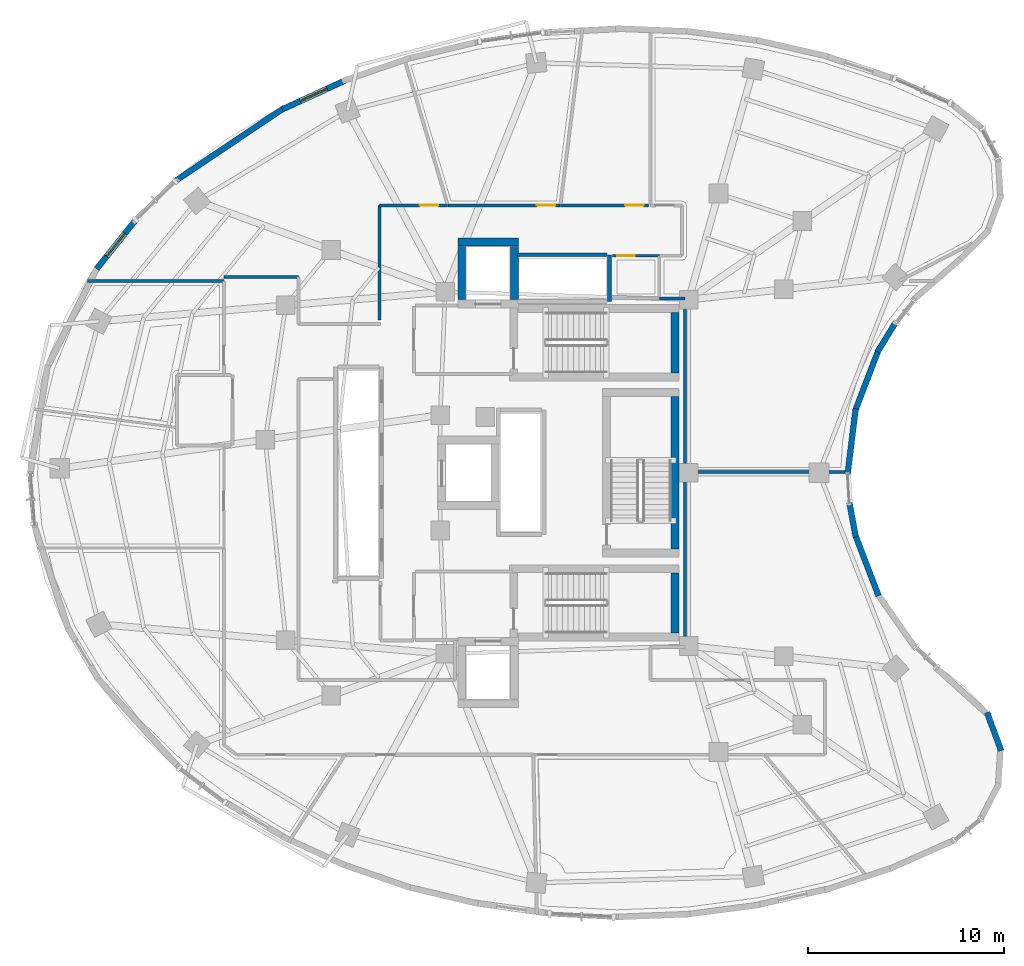
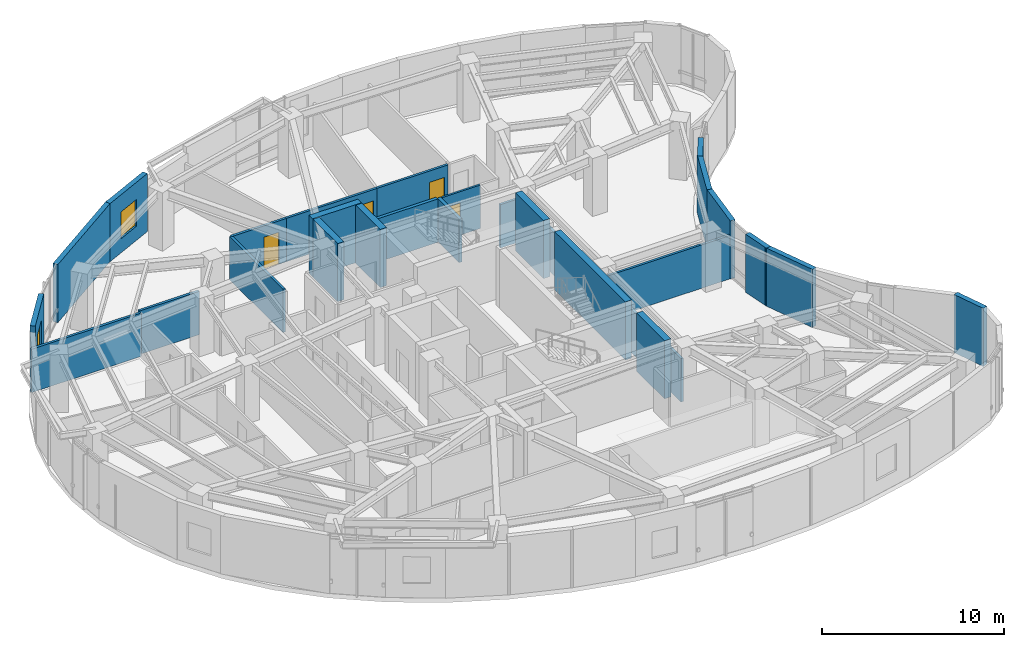
# One storey, part 10 of 15: 28 walls, 4 doors, 2 windows, 6 openings.
"""IFC4 building model written with IfcOpenShell, lengths in metres."""

from ifc_helpers import new_model, si_unit, direction, frame, frame_2d, origin, place, context, subcontext, project, spatial, rectangle, extrude, material, layer, layer_set, type_object, element, fill, save


model = new_model("IFC4")

# Units and contexts
model_context = context("Model", 3, precision=1e-05, world=origin(), true_north=direction((0.0, 1.0)))
body_context = subcontext(model_context, "Body", "Model", "MODEL_VIEW")
ifc_project = project(units=[si_unit("LENGTHUNIT", "METRE"), si_unit("AREAUNIT", "SQUARE_METRE"), si_unit("VOLUMEUNIT", "CUBIC_METRE"), si_unit("PLANEANGLEUNIT", "RADIAN"), si_unit("MASSUNIT", "GRAM", prefix="KILO")], contexts=[model_context])

# Site, building, storey
site_placement = place(None, origin())
site = spatial("IfcSite", under=ifc_project, at=site_placement, CompositionType="ELEMENT")
building_placement = place(site_placement, origin())
building = spatial("IfcBuilding", under=site, at=building_placement, Name="Korentha Bioscience Tower", CompositionType="ELEMENT")
storey_placement = place(building_placement, frame((0.0, 0.0, 218.39990234375)))
storey = spatial("IfcBuildingStorey", under=building, at=storey_placement, Name="L50", CompositionType="ELEMENT", Elevation=218.39990234375)

# Wall, opening, door
ifc_material_1 = material(Name="Double-Stud Acoustic Gypsum", Category="gypsum")
ifc_layer_1 = layer(ifc_material_1, 0.14990234375, Name="Double-Stud Acoustic Gypsum")
ifc_layer_set_1 = layer_set([ifc_layer_1], Name="Double-Stud Acoustic Gypsum (IW-L150)")
wall_type_1 = type_object("IfcWallType", Name="Acoustic Laboratory Partition Wall 150", PredefinedType="PARTITIONING", material=ifc_layer_set_1)
wall_1_placement = place(storey_placement, frame((35.482666015625, 40.659912109375, 0.0), z_axis=(0.0, 0.0, 1.0), x_axis=(-1.0, 0.0, 0.0)))
wall_1 = element("IfcWall", 1, at=wall_1_placement, inside=storey, type_object=wall_type_1, Name="L50 Bioinformatics Data Collaboration Hub 08 Entrance Wall", PredefinedType="PARTITIONING", context=body_context, shape_type="SweptSolid", body=[
    extrude(rectangle(XDim=4.49560546875, YDim=0.14990234375, at=frame_2d((2.247802734375, 0.0))), origin(), (0.0, 0.0, 1.0), 2.91015625),
])
opening_1_placement = place(wall_1_placement, frame((0.239990234375, 0.0, 0.0)))
opening_1 = element("IfcOpeningElement", 2, at=opening_1_placement, cuts=wall_1, Name="Opening ID-10R", PredefinedType="OPENING", context=body_context, shape_type="SweptSolid", body=[
    extrude(rectangle(XDim=0.949951171875, YDim=2.14990234375, at=frame_2d((0.47509765625, 1.074951171875))), frame((0.0, 0.08984375, 0.0), z_axis=(0.0, -1.0, 0.0), x_axis=(1.0, 0.0, 0.0)), (0.0, 0.0, 1.0), 0.1796875),
])
ifc_material_2 = material(Name="Phenolic Laminate Timber Core", Category="wood")
door_type_1 = type_object("IfcDoorType", Name="Laboratory Single Leaf Door 950x2150 Right", OperationType="SINGLE_SWING_RIGHT", PredefinedType="DOOR", material=ifc_material_2)
door_1_placement = place(opening_1_placement, origin())
door_1 = element("IfcDoor", 3, at=door_1_placement, inside=storey, type_object=door_type_1, Name="L50 Bioinformatics Data Collaboration Hub 08 Door", OperationType="SINGLE_SWING_RIGHT", OverallHeight=2.14990234375, OverallWidth=0.949951171875, PredefinedType="DOOR", context=body_context, shape_type="SweptSolid", body=[
    extrude(rectangle(XDim=0.949951171875, YDim=2.14990234375, at=frame_2d((0.47509765625, 1.074951171875))), frame((0.0, 0.02490234375, 0.0), z_axis=(0.0, -1.0, 0.0), x_axis=(1.0, 0.0, 0.0)), (0.0, 0.0, 1.0), 0.050048828125),
])
fill(opening_1, door_1)

wall_2_placement = place(storey_placement, frame((30.97705078125, 40.659912109375, 0.0), z_axis=(0.0, 0.0, 1.0), x_axis=(-1.0, 0.0, 0.0)))
wall_2 = element("IfcWall", 4, at=wall_2_placement, inside=storey, type_object=wall_type_1, Name="L50 Researchers' Reading Lounge 09 Entrance Wall", PredefinedType="PARTITIONING", context=body_context, shape_type="SweptSolid", body=[
    extrude(rectangle(XDim=5.7412109375, YDim=0.14990234375, at=frame_2d((2.87060546875, 0.0))), origin(), (0.0, 0.0, 1.0), 2.91015625),
])
opening_2_placement = place(wall_2_placement, frame((0.239990234375, 0.0, 0.0)))
opening_2 = element("IfcOpeningElement", 5, at=opening_2_placement, cuts=wall_2, Name="Opening ID-10L", PredefinedType="OPENING", context=body_context, shape_type="SweptSolid", body=[
    extrude(rectangle(XDim=0.949951171875, YDim=2.14990234375, at=frame_2d((0.47509765625, 1.074951171875))), frame((0.0, 0.08984375, 0.0), z_axis=(0.0, -1.0, 0.0), x_axis=(1.0, 0.0, 0.0)), (0.0, 0.0, 1.0), 0.1796875),
])
door_type_2 = type_object("IfcDoorType", Name="Laboratory Single Leaf Door 950x2150 Left", OperationType="SINGLE_SWING_LEFT", PredefinedType="DOOR", material=ifc_material_2)
door_2_placement = place(opening_2_placement, origin())
door_2 = element("IfcDoor", 6, at=door_2_placement, inside=storey, type_object=door_type_2, Name="L50 Researchers' Reading Lounge 09 Door", OperationType="SINGLE_SWING_LEFT", OverallHeight=2.14990234375, OverallWidth=0.949951171875, PredefinedType="DOOR", context=body_context, shape_type="SweptSolid", body=[
    extrude(rectangle(XDim=0.949951171875, YDim=2.14990234375, at=frame_2d((0.47509765625, 1.074951171875))), frame((0.0, 0.02490234375, 0.0), z_axis=(0.0, -1.0, 0.0), x_axis=(1.0, 0.0, 0.0)), (0.0, 0.0, 1.0), 0.050048828125),
])
fill(opening_2, door_2)

# Walls
wall_3_placement = place(storey_placement, frame((37.360107421875, 18.10009765625, 0.0), z_axis=(0.0, 0.0, 1.0), x_axis=(0.0, 1.0, 0.0)))
element("IfcWall", 7, at=wall_3_placement, inside=storey, type_object=wall_type_1, Name="L50 Interior Partition 035", PredefinedType="PARTITIONING", context=body_context, shape_type="SweptSolid", body=[
    extrude(rectangle(XDim=8.947998046875, YDim=0.14990234375, at=frame_2d((4.47412109375, 0.0))), origin(), (0.0, 0.0, 1.0), 2.91015625),
])
wall_4_placement = place(storey_placement, frame((37.360107421875, 27.048095703125, 0.0), z_axis=(0.0, 0.0, 1.0), x_axis=(1.0, 0.0, 0.0)))
element("IfcWall", 8, at=wall_4_placement, inside=storey, type_object=wall_type_1, Name="L50 Interior Partition 036", PredefinedType="PARTITIONING", context=body_context, shape_type="SweptSolid", body=[
    extrude(rectangle(XDim=8.44140625, YDim=0.14990234375, at=frame_2d((4.220703125, 0.0))), origin(), (0.0, 0.0, 1.0), 2.91015625),
])
wall_5_placement = place(storey_placement, frame((37.360107421875, 27.05810546875, 0.0), z_axis=(0.0, 0.0, 1.0), x_axis=(0.0, 1.0, 0.0)))
element("IfcWall", 9, at=wall_5_placement, inside=storey, type_object=wall_type_1, Name="L50 Interior Partition 043", PredefinedType="PARTITIONING", context=body_context, shape_type="SweptSolid", body=[
    extrude(rectangle(XDim=8.841796875, YDim=0.14990234375, at=frame_2d((4.4208984375, 0.0))), origin(), (0.0, 0.0, 1.0), 2.91015625),
])
wall_6_placement = place(storey_placement, frame((37.35009765625, 35.909912109375, 0.0), z_axis=(0.0, 0.0, 1.0), x_axis=(-1.0, 0.0, 0.0)))
element("IfcWall", 10, at=wall_6_placement, inside=storey, type_object=wall_type_1, Name="L50 Interior Partition 044", PredefinedType="PARTITIONING", context=body_context, shape_type="SweptSolid", body=[
    extrude(rectangle(XDim=1.2900390625, YDim=0.14990234375, at=frame_2d((0.64501953125, 0.0))), origin(), (0.0, 0.0, 1.0), 2.91015625),
])

# Wall, opening, door
ifc_material_3 = material(Name="Gypsum-Clad Steel Stud", Category="steel")
ifc_layer_2 = layer(ifc_material_3, 0.159912109375, Name="Gypsum-Clad Steel Stud")
ifc_layer_set_2 = layer_set([ifc_layer_2], Name="Gypsum-Clad Steel Stud (IW-C160)")
wall_type_2 = type_object("IfcWallType", Name="Fire-Rated Corridor Partition Wall 160", PredefinedType="PARTITIONING", material=ifc_layer_set_2)
wall_7_placement = place(storey_placement, frame((25.2255859375, 40.659912109375, 0.0), z_axis=(0.0, 0.0, 1.0), x_axis=(-1.0, 0.0, 0.0)))
wall_7 = element("IfcWall", 11, at=wall_7_placement, inside=storey, type_object=wall_type_2, Name="L50 Clean Linen and Labcoat Store 10 Entrance Wall", PredefinedType="PARTITIONING", context=body_context, shape_type="SweptSolid", body=[
    extrude(rectangle(XDim=3.4755859375, YDim=0.159912109375, at=frame_2d((1.73779296875, 0.0))), origin(), (0.0, 0.0, 1.0), 2.91015625),
])
opening_3_placement = place(wall_7_placement, frame((0.47216796875, 0.0, 0.0)))
opening_3 = element("IfcOpeningElement", 12, at=opening_3_placement, cuts=wall_7, Name="Opening ID-10R", PredefinedType="OPENING", context=body_context, shape_type="SweptSolid", body=[
    extrude(rectangle(XDim=0.949951171875, YDim=2.14990234375, at=frame_2d((0.47509765625, 1.074951171875))), frame((0.0, 0.0947265625, 0.0), z_axis=(0.0, -1.0, 0.0), x_axis=(1.0, 0.0, 0.0)), (0.0, 0.0, 1.0), 0.189697265625),
])
door_3_placement = place(opening_3_placement, origin())
door_3 = element("IfcDoor", 13, at=door_3_placement, inside=storey, type_object=door_type_1, Name="L50 Clean Linen and Labcoat Store 10 Door", OperationType="SINGLE_SWING_RIGHT", OverallHeight=2.14990234375, OverallWidth=0.949951171875, PredefinedType="DOOR", context=body_context, shape_type="SweptSolid", body=[
    extrude(rectangle(XDim=0.949951171875, YDim=2.14990234375, at=frame_2d((0.47509765625, 1.074951171875))), frame((0.0, 0.02490234375, 0.0), z_axis=(0.0, -1.0, 0.0), x_axis=(1.0, 0.0, 0.0)), (0.0, 0.0, 1.0), 0.050048828125),
])
fill(opening_3, door_3)

# Walls
wall_8_placement = place(storey_placement, frame((21.739990234375, 40.64990234375, 0.0), z_axis=(0.0, 0.0, 1.0), x_axis=(0.0, -1.0, 0.0)))
element("IfcWall", 14, at=wall_8_placement, inside=storey, type_object=wall_type_2, Name="L50 Interior Partition 050", PredefinedType="PARTITIONING", context=body_context, shape_type="SweptSolid", body=[
    extrude(rectangle(XDim=5.849853515625, YDim=0.159912109375, at=frame_2d((2.9248046875, 0.0))), origin(), (0.0, 0.0, 1.0), 2.91015625),
])
wall_9_placement = place(storey_placement, frame((17.60009765625, 37.010009765625, 0.0), z_axis=(0.0, 0.0, 1.0), x_axis=(-1.0, 0.0, 0.0)))
element("IfcWall", 15, at=wall_9_placement, inside=storey, type_object=wall_type_2, Name="L50 Interior Partition 053", PredefinedType="PARTITIONING", context=body_context, shape_type="SweptSolid", body=[
    extrude(rectangle(XDim=3.800048828125, YDim=0.159912109375, at=frame_2d((1.89990234375, 0.0))), origin(), (0.0, 0.0, 1.0), 2.91015625),
])
wall_10_placement = place(storey_placement, frame((13.7900390625, 36.802001953125, 0.0), z_axis=(0.0, 0.0, 1.0), x_axis=(-1.0, 0.0, 0.0)))
element("IfcWall", 16, at=wall_10_placement, inside=storey, type_object=wall_type_2, Name="L50 Interior Partition 054", PredefinedType="PARTITIONING", context=body_context, shape_type="SweptSolid", body=[
    extrude(rectangle(XDim=6.976318359375, YDim=0.159912109375, at=frame_2d((3.48828125, 0.0))), origin(), (0.0, 0.0, 1.0), 2.91015625),
])

# Wall, opening, window
ifc_material_4 = material(Name="Honed Limestone Precast Concrete C40", Category="masonry")
ifc_layer_3 = layer(ifc_material_4, 0.300048828125, Name="Honed Limestone Precast Concrete C40")
ifc_layer_set_3 = layer_set([ifc_layer_3], Name="Honed Limestone Precast Concrete C40 (EW-ST300)")
wall_type_3 = type_object("IfcWallType", Name="Honed Limestone Cavity Spandrel Wall 300", PredefinedType="STANDARD", material=ifc_layer_set_3)
wall_11_placement = place(storey_placement, frame((19.989990234375, 47.050537109375, 0.0), z_axis=(0.0, 0.0, 1.0), x_axis=(-0.908478431596, -0.41793174003, 0.0)))
wall_11 = element("IfcWall", 17, at=wall_11_placement, inside=storey, type_object=wall_type_3, Name="L50 Honed Limestone Spandrel Wall 10", PredefinedType="STANDARD", context=body_context, shape_type="SweptSolid", body=[
    extrude(rectangle(XDim=3.547119140625, YDim=0.300048828125, at=frame_2d((1.7734375, 0.0))), origin(), (0.0, 0.0, 1.0), 3.900146484375),
])
opening_4_placement = place(wall_11_placement, frame((1.0234375, 0.0, 0.949951171875)))
opening_4 = element("IfcOpeningElement", 18, at=opening_4_placement, cuts=wall_11, Name="Opening WN-02", PredefinedType="OPENING", context=body_context, shape_type="SweptSolid", body=[
    extrude(rectangle(XDim=1.5, YDim=1.800048828125, at=frame_2d((0.75, 0.89990234375))), frame((0.0, 0.1650390625, 0.0), z_axis=(0.0, -1.0, 0.0), x_axis=(1.0, 0.0, 0.0)), (0.0, 0.0, 1.0), 0.329833984375),
])
ifc_material_5 = material(Name="Thermally Broken Aluminium Triple Glazing", Category="aluminium")
window_type = type_object("IfcWindowType", Name="Acoustic Operable Office Window 1500x1800", PartitioningType="DOUBLE_PANEL_VERTICAL", PredefinedType="WINDOW", material=ifc_material_5)
window_1_placement = place(opening_4_placement, origin())
window_1 = element("IfcWindow", 19, at=window_1_placement, inside=storey, type_object=window_type, Name="L50 Facade Window 10", OverallHeight=1.800048828125, OverallWidth=1.5, PartitioningType="DOUBLE_PANEL_VERTICAL", PredefinedType="WINDOW", context=body_context, shape_type="SweptSolid", body=[
    extrude(rectangle(XDim=1.5, YDim=1.800048828125, at=frame_2d((0.75, 0.89990234375))), frame((0.0, 0.030029296875, 0.0), z_axis=(0.0, -1.0, 0.0), x_axis=(1.0, 0.0, 0.0)), (0.0, 0.0, 1.0), 0.06005859375),
])
fill(opening_4, window_1)

wall_12_placement = place(storey_placement, frame((9.243896484375, 39.8681640625, 0.0), z_axis=(0.0, 0.0, 1.0), x_axis=(-0.624095877763, -0.781347768512, 0.0)))
wall_12 = element("IfcWall", 20, at=wall_12_placement, inside=storey, type_object=wall_type_3, Name="L50 Honed Limestone Spandrel Wall 14", PredefinedType="STANDARD", context=body_context, shape_type="SweptSolid", body=[
    extrude(rectangle(XDim=3.131591796875, YDim=0.300048828125, at=frame_2d((1.56591796875, 0.0))), origin(), (0.0, 0.0, 1.0), 3.900146484375),
])
opening_5_placement = place(wall_12_placement, frame((0.815673828125, 0.0, 0.949951171875)))
opening_5 = element("IfcOpeningElement", 21, at=opening_5_placement, cuts=wall_12, Name="Opening WN-02", PredefinedType="OPENING", context=body_context, shape_type="SweptSolid", body=[
    extrude(rectangle(XDim=1.5, YDim=1.800048828125, at=frame_2d((0.75, 0.89990234375))), frame((0.0, 0.1650390625, 0.0), z_axis=(0.0, -1.0, 0.0), x_axis=(1.0, 0.0, 0.0)), (0.0, 0.0, 1.0), 0.329833984375),
])
window_2_placement = place(opening_5_placement, origin())
window_2 = element("IfcWindow", 22, at=window_2_placement, inside=storey, type_object=window_type, Name="L50 Facade Window 14", OverallHeight=1.800048828125, OverallWidth=1.5, PartitioningType="DOUBLE_PANEL_VERTICAL", PredefinedType="WINDOW", context=body_context, shape_type="SweptSolid", body=[
    extrude(rectangle(XDim=1.5, YDim=1.800048828125, at=frame_2d((0.75, 0.89990234375))), frame((0.0, 0.030029296875, 0.0), z_axis=(0.0, -1.0, 0.0), x_axis=(1.0, 0.0, 0.0)), (0.0, 0.0, 1.0), 0.06005859375),
])
fill(opening_5, window_2)

# Walls
wall_13_placement = place(storey_placement, frame((16.89990234375, 45.6669921875, 0.0), z_axis=(0.0, 0.0, 1.0), x_axis=(-0.829994558021, -0.557771488743, 0.0)))
element("IfcWall", 23, at=wall_13_placement, inside=storey, type_object=wall_type_3, Name="L50 Limestone Perimeter Closure Wall 11", PredefinedType="STANDARD", context=body_context, shape_type="SweptSolid", body=[
    extrude(rectangle(XDim=6.70556640625, YDim=0.300048828125, at=frame_2d((3.352783203125, 0.0))), origin(), (0.0, 0.0, 1.0), 3.900146484375),
])
wall_14_placement = place(storey_placement, frame((53.516845703125, 12.790771484375, 0.0), z_axis=(0.0, 0.0, 1.0), x_axis=(-0.346359858312, 0.93810172612, 0.0)))
element("IfcWall", 24, at=wall_14_placement, inside=storey, type_object=wall_type_3, Name="L50 Limestone Perimeter Closure Wall 40", PredefinedType="STANDARD", context=body_context, shape_type="SweptSolid", body=[
    extrude(rectangle(XDim=2.09130859375, YDim=0.300048828125, at=frame_2d((1.045654296875, 0.0))), origin(), (0.0, 0.0, 1.0), 3.900146484375),
])
wall_15_placement = place(storey_placement, frame((47.25390625, 20.710205078125, 0.0), z_axis=(0.0, 0.0, 1.0), x_axis=(-0.358365624917, 0.933581318835, 0.0)))
element("IfcWall", 25, at=wall_15_placement, inside=storey, type_object=wall_type_3, Name="L50 Limestone Perimeter Closure Wall 46", PredefinedType="STANDARD", context=body_context, shape_type="SweptSolid", body=[
    extrude(rectangle(XDim=3.360595703125, YDim=0.300048828125, at=frame_2d((1.68017578125, 0.0))), origin(), (0.0, 0.0, 1.0), 3.900146484375),
])
wall_16_placement = place(storey_placement, frame((46.0859375, 23.718994140625, 0.0), z_axis=(0.0, 0.0, 1.0), x_axis=(-0.182198328631, 0.983261800867, 0.0)))
element("IfcWall", 26, at=wall_16_placement, inside=storey, type_object=wall_type_3, Name="L50 Limestone Perimeter Closure Wall 48", PredefinedType="STANDARD", context=body_context, shape_type="SweptSolid", body=[
    extrude(rectangle(XDim=1.763427734375, YDim=0.300048828125, at=frame_2d((0.8818359375, 0.0))), origin(), (0.0, 0.0, 1.0), 3.900146484375),
])
for number, where, z_axis, x_axis, name in (
    (27, (45.67041015625, 26.937744140625, 0.0), (0.0, 0.0, 1.0), (0.121834797873, 0.992550392689, 0.0), "L50 Limestone Perimeter Closure Wall 50"),
    (28, (46.049560546875, 30.15234375, 0.0), (0.0, 0.0, 1.0), (0.358365624917, 0.933581318835, 0.0), "L50 Limestone Perimeter Closure Wall 52"),
):
    element("IfcWall", number, at=place(storey_placement, frame(where, z_axis=z_axis, x_axis=x_axis)), inside=storey, type_object=wall_type_3, Name=name, PredefinedType="STANDARD", context=body_context, shape_type="SweptSolid", body=[
        extrude(rectangle(XDim=3.360595703125, YDim=0.300048828125, at=frame_2d((1.68017578125, 0.0))), origin(), (0.0, 0.0, 1.0), 3.900146484375),
    ])
wall_17_placement = place(storey_placement, frame((47.19482421875, 33.169921875, 0.0), z_axis=(0.0, 0.0, 1.0), x_axis=(0.522536083939, 0.852617171409, 0.0)))
element("IfcWall", 29, at=wall_17_placement, inside=storey, type_object=wall_type_3, Name="L50 Limestone Perimeter Closure Wall 54", PredefinedType="STANDARD", context=body_context, shape_type="SweptSolid", body=[
    extrude(rectangle(XDim=1.76318359375, YDim=0.300048828125, at=frame_2d((0.881591796875, 0.0))), origin(), (0.0, 0.0, 1.0), 3.900146484375),
])
ifc_material_6 = material(Name="Autoclaved Aerated Concrete Block C25", Category="concrete")
ifc_layer_4 = layer(ifc_material_6, 0.199951171875, Name="Autoclaved Aerated Concrete Block C25")
ifc_layer_set_4 = layer_set([ifc_layer_4], Name="Autoclaved Aerated Concrete Block C25 (IW-S200)")
wall_type_4 = type_object("IfcWallType", Name="Lift and Riser Shaft Enclosure Wall 200", PredefinedType="PARTITIONING", material=ifc_layer_set_4)
wall_18_placement = place(storey_placement, frame((33.489990234375, 35.760009765625, 0.0), z_axis=(0.0, 0.0, 1.0), x_axis=(0.0, 1.0, 0.0)))
element("IfcWall", 30, at=wall_18_placement, inside=storey, type_object=wall_type_4, Name="L50 Lift Bank OBS Shaft Wall +X", PredefinedType="PARTITIONING", context=body_context, shape_type="SweptSolid", body=[
    extrude(rectangle(XDim=2.3798828125, YDim=0.199951171875, at=frame_2d((1.18994140625, 0.0))), origin(), (0.0, 0.0, 1.0), 2.91015625),
])
wall_19_placement = place(storey_placement, frame((28.800048828125, 38.139892578125, 0.0), z_axis=(0.0, 0.0, 1.0), x_axis=(1.0, 0.0, 0.0)))
element("IfcWall", 31, at=wall_19_placement, inside=storey, type_object=wall_type_4, Name="L50 Lift Bank OBS Shaft Wall +Y", PredefinedType="PARTITIONING", context=body_context, shape_type="SweptSolid", body=[
    extrude(rectangle(XDim=4.570068359375, YDim=0.199951171875, at=frame_2d((2.28515625, 0.0))), origin(), (0.0, 0.0, 1.0), 2.91015625),
])
ifc_material_7 = material(Name="Concrete C65", Category="concrete")
ifc_layer_5 = layer(ifc_material_7, 0.39990234375, Name="Concrete C65")
ifc_layer_set_5 = layer_set([ifc_layer_5], Name="Concrete C65 (CW-C65)")
wall_type_5 = type_object("IfcWallType", Name="Mid-Rise Core Shear Wall 400", PredefinedType="SHEAR", material=ifc_layer_set_5)
for number, where, z_axis, x_axis, name in (
    (32, (36.85009765625, 32.110107421875, 0.0), (0.0, 0.0, 1.0), (0.0, 1.0, 0.0), "L50 Core Shear Wall ST1-E"),
    (33, (36.85009765625, 18.81005859375, 0.0), (0.0, 0.0, 1.0), (0.0, 1.0, 0.0), "L50 Core Shear Wall ST2-E"),
):
    element("IfcWall", number, at=place(storey_placement, frame(where, z_axis=z_axis, x_axis=x_axis)), inside=storey, type_object=wall_type_5, Name=name, PredefinedType="SHEAR", context=body_context, shape_type="SweptSolid", body=[
        extrude(rectangle(XDim=3.079833984375, YDim=0.39990234375, at=frame_2d((1.5400390625, 0.0))), origin(), (0.0, 0.0, 1.0), 3.900146484375),
    ])
wall_20_placement = place(storey_placement, frame((36.85009765625, 23.110107421875, 0.0), z_axis=(0.0, 0.0, 1.0), x_axis=(0.0, 1.0, 0.0)))
element("IfcWall", 34, at=wall_20_placement, inside=storey, type_object=wall_type_5, Name="L50 Core Shear Wall ST3-E", PredefinedType="SHEAR", context=body_context, shape_type="SweptSolid", body=[
    extrude(rectangle(XDim=7.77978515625, YDim=0.39990234375, at=frame_2d((3.889892578125, 0.0))), origin(), (0.0, 0.0, 1.0), 3.900146484375),
])
wall_21_placement = place(storey_placement, frame((25.75, 38.800048828125, 0.0), z_axis=(0.0, 0.0, 1.0), x_axis=(1.0, 0.0, 0.0)))
element("IfcWall", 35, at=wall_21_placement, inside=storey, type_object=wall_type_5, Name="L50 Core Shear Wall FFL2-N", PredefinedType="SHEAR", context=body_context, shape_type="SweptSolid", body=[
    extrude(rectangle(XDim=3.10009765625, YDim=0.39990234375, at=frame_2d((1.550048828125, 0.0))), origin(), (0.0, 0.0, 1.0), 3.900146484375),
])
for number, where, z_axis, x_axis, name in (
    (36, (25.949951171875, 35.860107421875, 0.0), (0.0, 0.0, 1.0), (0.0, 1.0, 0.0), "L50 Core Shear Wall FFL2-W"),
    (37, (28.64990234375, 35.860107421875, 0.0), (0.0, 0.0, 1.0), (0.0, 1.0, 0.0), "L50 Core Shear Wall FFL2-E"),
):
    element("IfcWall", number, at=place(storey_placement, frame(where, z_axis=z_axis, x_axis=x_axis)), inside=storey, type_object=wall_type_5, Name=name, PredefinedType="SHEAR", context=body_context, shape_type="SweptSolid", body=[
        extrude(rectangle(XDim=2.699951171875, YDim=0.39990234375, at=frame_2d((1.35009765625, 0.0))), origin(), (0.0, 0.0, 1.0), 3.900146484375),
    ])

# Wall, opening, door
ifc_material_8 = material(Name="Cement-Board Steel Stud", Category="steel")
ifc_layer_6 = layer(ifc_material_8, 0.1298828125, Name="Cement-Board Steel Stud")
ifc_layer_set_6 = layer_set([ifc_layer_6], Name="Cement-Board Steel Stud (IW-W130)")
wall_type_6 = type_object("IfcWallType", Name="Wet-Area Moisture-Resistant Partition 130", PredefinedType="PARTITIONING", material=ifc_layer_set_6)
wall_22_placement = place(storey_placement, frame((33.64990234375, 38.090087890625, 0.0), z_axis=(0.0, 0.0, 1.0), x_axis=(1.0, 0.0, 0.0)))
wall_22 = element("IfcWall", 38, at=wall_22_placement, inside=storey, type_object=wall_type_6, Name="L50 Accessible Staff WC Entrance Wall", PredefinedType="PARTITIONING", context=body_context, shape_type="SweptSolid", body=[
    extrude(rectangle(XDim=2.400146484375, YDim=0.1298828125, at=frame_2d((1.2001953125, 0.0))), origin(), (0.0, 0.0, 1.0), 2.91015625),
])
opening_6_placement = place(wall_22_placement, frame((0.239990234375, 0.0, 0.0)))
opening_6 = element("IfcOpeningElement", 39, at=opening_6_placement, cuts=wall_22, Name="Opening ID-09L", PredefinedType="OPENING", context=body_context, shape_type="SweptSolid", body=[
    extrude(rectangle(XDim=0.89990234375, YDim=2.14990234375, at=frame_2d((0.449951171875, 1.074951171875))), frame((0.0, 0.079833984375, 0.0), z_axis=(0.0, -1.0, 0.0), x_axis=(1.0, 0.0, 0.0)), (0.0, 0.0, 1.0), 0.15966796875),
])
ifc_material_9 = material(Name="Moisture-Resistant HPL Leaf", Category="wood")
door_type_3 = type_object("IfcDoorType", Name="Restroom & Accessible WC Door 900x2150 Left", OperationType="SINGLE_SWING_LEFT", PredefinedType="DOOR", material=ifc_material_9)
door_4_placement = place(opening_6_placement, origin())
door_4 = element("IfcDoor", 40, at=door_4_placement, inside=storey, type_object=door_type_3, Name="L50 Accessible Staff WC Door", OperationType="SINGLE_SWING_LEFT", OverallHeight=2.14990234375, OverallWidth=0.89990234375, PredefinedType="DOOR", context=body_context, shape_type="SweptSolid", body=[
    extrude(rectangle(XDim=0.89990234375, YDim=2.14990234375, at=frame_2d((0.449951171875, 1.074951171875))), frame((0.0, 0.02490234375, 0.0), z_axis=(0.0, -1.0, 0.0), x_axis=(1.0, 0.0, 0.0)), (0.0, 0.0, 1.0), 0.050048828125),
])
fill(opening_6, door_4)

save(model, "model.ifc")
